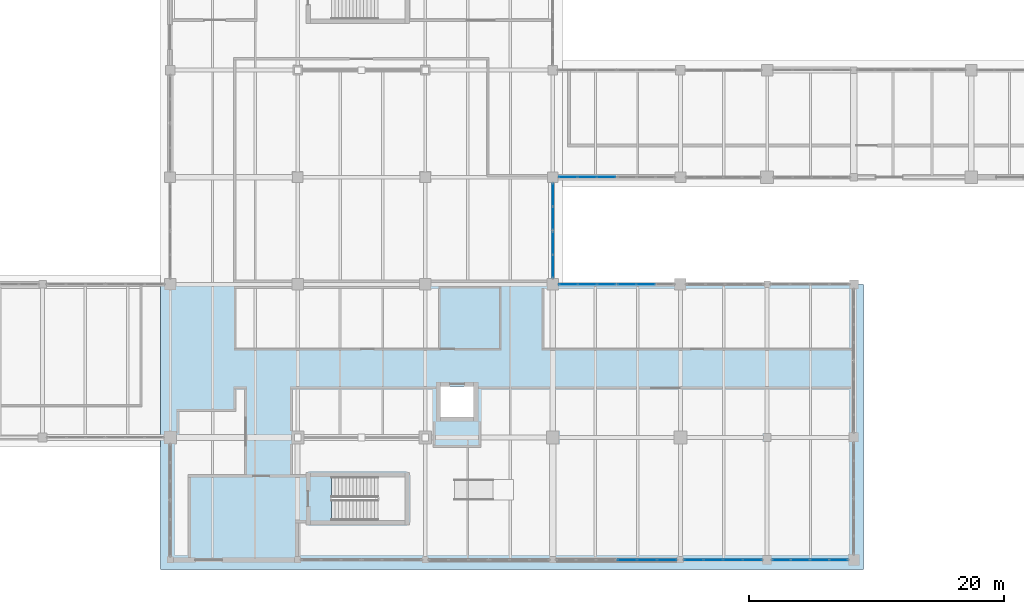
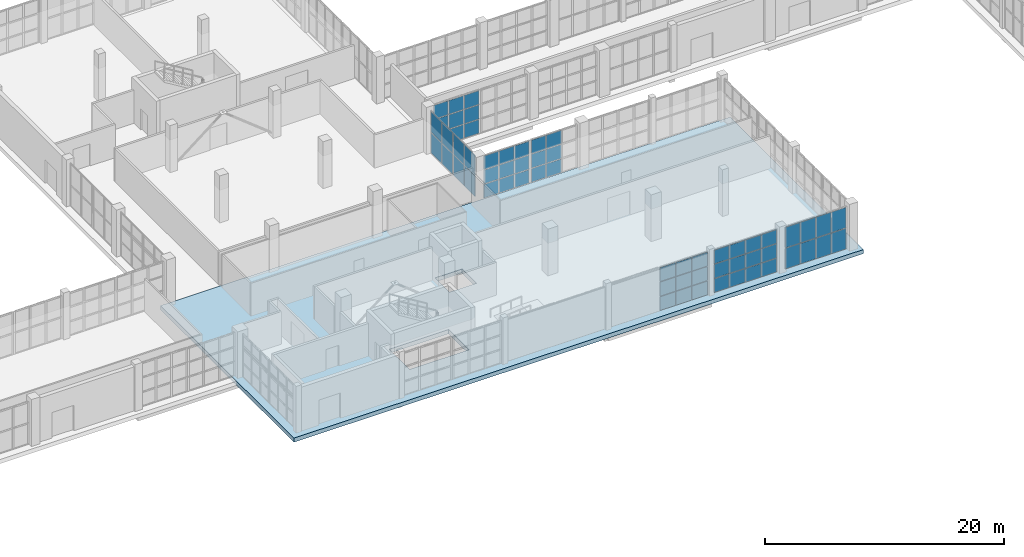
# One storey, part 85 of 121: 61 plates, 1 slab, 8 elements without a shape of their own.
"""IFC4 building model written with IfcOpenShell, lengths in metres."""

from ifc_helpers import new_model, si_unit, direction, frame, origin, origin_2d, place, context, subcontext, project, spatial, polyline, rectangle, outline, extrude, material, layer, layer_set, type_object, element, aggregate, save


model = new_model("IFC4")

# Units and contexts
model_context = context("Model", 3, precision=1e-05, world=origin(), true_north=direction((0.0, 1.0)))
body_context = subcontext(model_context, "Body", "Model", "MODEL_VIEW")
ifc_project = project(units=[si_unit("LENGTHUNIT", "METRE"), si_unit("AREAUNIT", "SQUARE_METRE"), si_unit("VOLUMEUNIT", "CUBIC_METRE"), si_unit("PLANEANGLEUNIT", "RADIAN"), si_unit("MASSUNIT", "GRAM", prefix="KILO")], contexts=[model_context])

# Site, building, storey
site_placement = place(None, origin())
site = spatial("IfcSite", under=ifc_project, at=site_placement, CompositionType="ELEMENT")
building_placement = place(site_placement, origin())
building = spatial("IfcBuilding", under=site, at=building_placement, Name="Zereglee Splitstone Museum", CompositionType="ELEMENT")
storey_placement = place(building_placement, origin())
storey = spatial("IfcBuildingStorey", under=building, at=storey_placement, Name="L00", CompositionType="ELEMENT", Elevation=0.0)

# Curtain wall, plates
ifc_material_1 = material(Name="Triple-glazed low-E argon glass and bronze-anodised aluminium", Category="aluminium")
ifc_layer_1 = layer(ifc_material_1, 0.179931640625)
ifc_layer_set_1 = layer_set([ifc_layer_1], Name="Triple-glazed low-E argon glass and bronze-anodised aluminium")
curtain_wall_type_1 = type_object("IfcCurtainWallType", Name="CW-0470-448", PredefinedType="USERDEFINED", material=ifc_layer_set_1)
curtain_wall_1_placement = place(storey_placement, origin())
curtain_wall_1 = element("IfcCurtainWall", 1, at=curtain_wall_1_placement, inside=storey, type_object=curtain_wall_type_1, Name="Glazed Curtain Wall CW-0470-448 (L00)", ObjectType="GLAZED CURTAIN WALL", PredefinedType="USERDEFINED")
ifc_material_2 = material(Name="Triple low-e argon insulated safety glass", Category="glass")
ifc_layer_2 = layer(ifc_material_2, 0.035888671875)
ifc_layer_set_2 = layer_set([ifc_layer_2], Name="Triple low-e argon insulated safety glass")
plate_type = type_object("IfcPlateType", Name="CWP-01", PredefinedType="CURTAIN_PANEL", material=ifc_layer_set_2)
plate_1_placement = place(storey_placement, frame((211.039794921875, 0.0, 0.06494140625), z_axis=(0.0, 0.0, 1.0), x_axis=(1.0, 0.0, 0.0)))
plate_1 = element("IfcPlate", 2, at=plate_1_placement, type_object=plate_type, Name="CW-0470-448 panel 1.1", PredefinedType="CURTAIN_PANEL", context=body_context, shape_type="SweptSolid", body=[
    extrude(rectangle(XDim=1.4697265625, YDim=0.035888671875, at=origin_2d()), origin(), (0.0, 0.0, 1.0), 1.395751953125),
])
plate_2_placement = place(storey_placement, frame((211.039794921875, 0.0, 1.52587890625), z_axis=(0.0, 0.0, 1.0), x_axis=(1.0, 0.0, 0.0)))
plate_2 = element("IfcPlate", 3, at=plate_2_placement, type_object=plate_type, Name="CW-0470-448 panel 1.2", PredefinedType="CURTAIN_PANEL", context=body_context, shape_type="SweptSolid", body=[
    extrude(rectangle(XDim=1.4697265625, YDim=0.035888671875, at=origin_2d()), origin(), (0.0, 0.0, 1.0), 1.428466796875),
])
plate_3_placement = place(storey_placement, frame((211.039794921875, 0.0, 3.01904296875), z_axis=(0.0, 0.0, 1.0), x_axis=(1.0, 0.0, 0.0)))
plate_3 = element("IfcPlate", 4, at=plate_3_placement, type_object=plate_type, Name="CW-0470-448 panel 1.3", PredefinedType="CURTAIN_PANEL", context=body_context, shape_type="SweptSolid", body=[
    extrude(rectangle(XDim=1.4697265625, YDim=0.035888671875, at=origin_2d()), origin(), (0.0, 0.0, 1.0), 1.395751953125),
])
plate_4_placement = place(storey_placement, frame((212.591064453125, 0.0, 0.06494140625), z_axis=(0.0, 0.0, 1.0), x_axis=(1.0, 0.0, 0.0)))
plate_4 = element("IfcPlate", 5, at=plate_4_placement, type_object=plate_type, Name="CW-0470-448 panel 2.1", PredefinedType="CURTAIN_PANEL", context=body_context, shape_type="SweptSolid", body=[
    extrude(rectangle(XDim=1.50244140625, YDim=0.035888671875, at=origin_2d()), origin(), (0.0, 0.0, 1.0), 1.395751953125),
])
plate_5_placement = place(storey_placement, frame((212.591064453125, 0.0, 1.52587890625), z_axis=(0.0, 0.0, 1.0), x_axis=(1.0, 0.0, 0.0)))
plate_5 = element("IfcPlate", 6, at=plate_5_placement, type_object=plate_type, Name="CW-0470-448 panel 2.2", PredefinedType="CURTAIN_PANEL", context=body_context, shape_type="SweptSolid", body=[
    extrude(rectangle(XDim=1.50244140625, YDim=0.035888671875, at=origin_2d()), origin(), (0.0, 0.0, 1.0), 1.428466796875),
])
plate_6_placement = place(storey_placement, frame((212.591064453125, 0.0, 3.01904296875), z_axis=(0.0, 0.0, 1.0), x_axis=(1.0, 0.0, 0.0)))
plate_6 = element("IfcPlate", 7, at=plate_6_placement, type_object=plate_type, Name="CW-0470-448 panel 2.3", PredefinedType="CURTAIN_PANEL", context=body_context, shape_type="SweptSolid", body=[
    extrude(rectangle(XDim=1.50244140625, YDim=0.035888671875, at=origin_2d()), origin(), (0.0, 0.0, 1.0), 1.395751953125),
])
plate_7_placement = place(storey_placement, frame((214.14208984375, 0.0, 0.06494140625), z_axis=(0.0, 0.0, 1.0), x_axis=(1.0, 0.0, 0.0)))
plate_7 = element("IfcPlate", 8, at=plate_7_placement, type_object=plate_type, Name="CW-0470-448 panel 3.1", PredefinedType="CURTAIN_PANEL", context=body_context, shape_type="SweptSolid", body=[
    extrude(rectangle(XDim=1.4697265625, YDim=0.035888671875, at=origin_2d()), origin(), (0.0, 0.0, 1.0), 1.395751953125),
])
plate_8_placement = place(storey_placement, frame((214.14208984375, 0.0, 1.52587890625), z_axis=(0.0, 0.0, 1.0), x_axis=(1.0, 0.0, 0.0)))
plate_8 = element("IfcPlate", 9, at=plate_8_placement, type_object=plate_type, Name="CW-0470-448 panel 3.2", PredefinedType="CURTAIN_PANEL", context=body_context, shape_type="SweptSolid", body=[
    extrude(rectangle(XDim=1.4697265625, YDim=0.035888671875, at=origin_2d()), origin(), (0.0, 0.0, 1.0), 1.428466796875),
])
plate_9_placement = place(storey_placement, frame((214.14208984375, 0.0, 3.01904296875), z_axis=(0.0, 0.0, 1.0), x_axis=(1.0, 0.0, 0.0)))
plate_9 = element("IfcPlate", 10, at=plate_9_placement, type_object=plate_type, Name="CW-0470-448 panel 3.3", PredefinedType="CURTAIN_PANEL", context=body_context, shape_type="SweptSolid", body=[
    extrude(rectangle(XDim=1.4697265625, YDim=0.035888671875, at=origin_2d()), origin(), (0.0, 0.0, 1.0), 1.395751953125),
])
aggregate(curtain_wall_1, [plate_1, plate_2, plate_3, plate_4, plate_5, plate_6, plate_7, plate_8, plate_9])

ifc_layer_3 = layer(ifc_material_1, 0.179931640625)
ifc_layer_set_3 = layer_set([ifc_layer_3], Name="Triple-glazed low-E argon glass and bronze-anodised aluminium")
curtain_wall_type_2 = type_object("IfcCurtainWallType", Name="CW-0618-444", PredefinedType="USERDEFINED", material=ifc_layer_set_3)
curtain_wall_2_placement = place(storey_placement, origin())
curtain_wall_2 = element("IfcCurtainWall", 11, at=curtain_wall_2_placement, inside=storey, type_object=curtain_wall_type_2, Name="Glazed Curtain Wall CW-0618-444 (L00)", ObjectType="GLAZED CURTAIN WALL", PredefinedType="USERDEFINED")
plate_10_placement = place(storey_placement, frame((216.247314453125, 0.0, 0.06494140625), z_axis=(0.0, 0.0, 1.0), x_axis=(1.0, 0.0, 0.0)))
plate_10 = element("IfcPlate", 12, at=plate_10_placement, type_object=plate_type, Name="CW-0618-444 panel 1.1", PredefinedType="CURTAIN_PANEL", context=body_context, shape_type="SweptSolid", body=[
    extrude(rectangle(XDim=1.448486328125, YDim=0.035888671875, at=origin_2d()), origin(), (0.0, 0.0, 1.0), 1.382568359375),
])
plate_11_placement = place(storey_placement, frame((216.247314453125, 0.0, 1.512451171875), z_axis=(0.0, 0.0, 1.0), x_axis=(1.0, 0.0, 0.0)))
plate_11 = element("IfcPlate", 13, at=plate_11_placement, type_object=plate_type, Name="CW-0618-444 panel 1.2", PredefinedType="CURTAIN_PANEL", context=body_context, shape_type="SweptSolid", body=[
    extrude(rectangle(XDim=1.448486328125, YDim=0.035888671875, at=origin_2d()), origin(), (0.0, 0.0, 1.0), 1.4150390625),
])
plate_12_placement = place(storey_placement, frame((216.247314453125, 0.0, 2.99267578125), z_axis=(0.0, 0.0, 1.0), x_axis=(1.0, 0.0, 0.0)))
plate_12 = element("IfcPlate", 14, at=plate_12_placement, type_object=plate_type, Name="CW-0618-444 panel 1.3", PredefinedType="CURTAIN_PANEL", context=body_context, shape_type="SweptSolid", body=[
    extrude(rectangle(XDim=1.448486328125, YDim=0.035888671875, at=origin_2d()), origin(), (0.0, 0.0, 1.0), 1.382568359375),
])
plate_13_placement = place(storey_placement, frame((217.777099609375, 0.0, 0.06494140625), z_axis=(0.0, 0.0, 1.0), x_axis=(1.0, 0.0, 0.0)))
plate_13 = element("IfcPlate", 15, at=plate_13_placement, type_object=plate_type, Name="CW-0618-444 panel 2.1", PredefinedType="CURTAIN_PANEL", context=body_context, shape_type="SweptSolid", body=[
    extrude(rectangle(XDim=1.48095703125, YDim=0.035888671875, at=origin_2d()), origin(), (0.0, 0.0, 1.0), 1.382568359375),
])
plate_14_placement = place(storey_placement, frame((217.777099609375, 0.0, 1.512451171875), z_axis=(0.0, 0.0, 1.0), x_axis=(1.0, 0.0, 0.0)))
plate_14 = element("IfcPlate", 16, at=plate_14_placement, type_object=plate_type, Name="CW-0618-444 panel 2.2", PredefinedType="CURTAIN_PANEL", context=body_context, shape_type="SweptSolid", body=[
    extrude(rectangle(XDim=1.48095703125, YDim=0.035888671875, at=origin_2d()), origin(), (0.0, 0.0, 1.0), 1.4150390625),
])
plate_15_placement = place(storey_placement, frame((217.777099609375, 0.0, 2.99267578125), z_axis=(0.0, 0.0, 1.0), x_axis=(1.0, 0.0, 0.0)))
plate_15 = element("IfcPlate", 17, at=plate_15_placement, type_object=plate_type, Name="CW-0618-444 panel 2.3", PredefinedType="CURTAIN_PANEL", context=body_context, shape_type="SweptSolid", body=[
    extrude(rectangle(XDim=1.48095703125, YDim=0.035888671875, at=origin_2d()), origin(), (0.0, 0.0, 1.0), 1.382568359375),
])
plate_16_placement = place(storey_placement, frame((219.322998046875, 0.0, 0.06494140625), z_axis=(0.0, 0.0, 1.0), x_axis=(1.0, 0.0, 0.0)))
plate_16 = element("IfcPlate", 18, at=plate_16_placement, type_object=plate_type, Name="CW-0618-444 panel 3.1", PredefinedType="CURTAIN_PANEL", context=body_context, shape_type="SweptSolid", body=[
    extrude(rectangle(XDim=1.48095703125, YDim=0.035888671875, at=origin_2d()), origin(), (0.0, 0.0, 1.0), 1.382568359375),
])
plate_17_placement = place(storey_placement, frame((219.322998046875, 0.0, 1.512451171875), z_axis=(0.0, 0.0, 1.0), x_axis=(1.0, 0.0, 0.0)))
plate_17 = element("IfcPlate", 19, at=plate_17_placement, type_object=plate_type, Name="CW-0618-444 panel 3.2", PredefinedType="CURTAIN_PANEL", context=body_context, shape_type="SweptSolid", body=[
    extrude(rectangle(XDim=1.48095703125, YDim=0.035888671875, at=origin_2d()), origin(), (0.0, 0.0, 1.0), 1.4150390625),
])
plate_18_placement = place(storey_placement, frame((219.322998046875, 0.0, 2.99267578125), z_axis=(0.0, 0.0, 1.0), x_axis=(1.0, 0.0, 0.0)))
plate_18 = element("IfcPlate", 20, at=plate_18_placement, type_object=plate_type, Name="CW-0618-444 panel 3.3", PredefinedType="CURTAIN_PANEL", context=body_context, shape_type="SweptSolid", body=[
    extrude(rectangle(XDim=1.48095703125, YDim=0.035888671875, at=origin_2d()), origin(), (0.0, 0.0, 1.0), 1.382568359375),
])
plate_19_placement = place(storey_placement, frame((220.852783203125, 0.0, 0.06494140625), z_axis=(0.0, 0.0, 1.0), x_axis=(1.0, 0.0, 0.0)))
plate_19 = element("IfcPlate", 21, at=plate_19_placement, type_object=plate_type, Name="CW-0618-444 panel 4.1", PredefinedType="CURTAIN_PANEL", context=body_context, shape_type="SweptSolid", body=[
    extrude(rectangle(XDim=1.448486328125, YDim=0.035888671875, at=origin_2d()), origin(), (0.0, 0.0, 1.0), 1.382568359375),
])
plate_20_placement = place(storey_placement, frame((220.852783203125, 0.0, 1.512451171875), z_axis=(0.0, 0.0, 1.0), x_axis=(1.0, 0.0, 0.0)))
plate_20 = element("IfcPlate", 22, at=plate_20_placement, type_object=plate_type, Name="CW-0618-444 panel 4.2", PredefinedType="CURTAIN_PANEL", context=body_context, shape_type="SweptSolid", body=[
    extrude(rectangle(XDim=1.448486328125, YDim=0.035888671875, at=origin_2d()), origin(), (0.0, 0.0, 1.0), 1.4150390625),
])
plate_21_placement = place(storey_placement, frame((220.852783203125, 0.0, 2.99267578125), z_axis=(0.0, 0.0, 1.0), x_axis=(1.0, 0.0, 0.0)))
plate_21 = element("IfcPlate", 23, at=plate_21_placement, type_object=plate_type, Name="CW-0618-444 panel 4.3", PredefinedType="CURTAIN_PANEL", context=body_context, shape_type="SweptSolid", body=[
    extrude(rectangle(XDim=1.448486328125, YDim=0.035888671875, at=origin_2d()), origin(), (0.0, 0.0, 1.0), 1.382568359375),
])
aggregate(curtain_wall_2, [plate_10, plate_11, plate_12, plate_13, plate_14, plate_15, plate_16, plate_17, plate_18, plate_19, plate_20, plate_21])

ifc_layer_4 = layer(ifc_material_1, 0.179931640625)
ifc_layer_set_4 = layer_set([ifc_layer_4], Name="Triple-glazed low-E argon glass and bronze-anodised aluminium")
curtain_wall_type_3 = type_object("IfcCurtainWallType", Name="CW-0601-438", PredefinedType="USERDEFINED", material=ifc_layer_set_4)
curtain_wall_3_placement = place(storey_placement, origin())
curtain_wall_3 = element("IfcCurtainWall", 24, at=curtain_wall_3_placement, inside=storey, type_object=curtain_wall_type_3, Name="Glazed Curtain Wall CW-0601-438 (L00)", ObjectType="GLAZED CURTAIN WALL", PredefinedType="USERDEFINED")
plate_22_placement = place(storey_placement, frame((223.12548828125, 0.0, 0.06494140625), z_axis=(0.0, 0.0, 1.0), x_axis=(1.0, 0.0, 0.0)))
plate_22 = element("IfcPlate", 25, at=plate_22_placement, type_object=plate_type, Name="CW-0601-438 panel 1.1", PredefinedType="CURTAIN_PANEL", context=body_context, shape_type="SweptSolid", body=[
    extrude(rectangle(XDim=1.40478515625, YDim=0.035888671875, at=origin_2d()), origin(), (0.0, 0.0, 1.0), 2.092529296875),
])
plate_23_placement = place(storey_placement, frame((223.12548828125, 0.0, 2.22265625), z_axis=(0.0, 0.0, 1.0), x_axis=(1.0, 0.0, 0.0)))
plate_23 = element("IfcPlate", 26, at=plate_23_placement, type_object=plate_type, Name="CW-0601-438 panel 1.2", PredefinedType="CURTAIN_PANEL", context=body_context, shape_type="SweptSolid", body=[
    extrude(rectangle(XDim=1.40478515625, YDim=0.035888671875, at=origin_2d()), origin(), (0.0, 0.0, 1.0), 2.092529296875),
])
plate_24_placement = place(storey_placement, frame((224.611328125, 0.0, 0.06494140625), z_axis=(0.0, 0.0, 1.0), x_axis=(1.0, 0.0, 0.0)))
plate_24 = element("IfcPlate", 27, at=plate_24_placement, type_object=plate_type, Name="CW-0601-438 panel 2.1", PredefinedType="CURTAIN_PANEL", context=body_context, shape_type="SweptSolid", body=[
    extrude(rectangle(XDim=1.437255859375, YDim=0.035888671875, at=origin_2d()), origin(), (0.0, 0.0, 1.0), 2.092529296875),
])
plate_25_placement = place(storey_placement, frame((224.611328125, 0.0, 2.22265625), z_axis=(0.0, 0.0, 1.0), x_axis=(1.0, 0.0, 0.0)))
plate_25 = element("IfcPlate", 28, at=plate_25_placement, type_object=plate_type, Name="CW-0601-438 panel 2.2", PredefinedType="CURTAIN_PANEL", context=body_context, shape_type="SweptSolid", body=[
    extrude(rectangle(XDim=1.437255859375, YDim=0.035888671875, at=origin_2d()), origin(), (0.0, 0.0, 1.0), 2.092529296875),
])
plate_26_placement = place(storey_placement, frame((226.113525390625, 0.0, 0.06494140625), z_axis=(0.0, 0.0, 1.0), x_axis=(1.0, 0.0, 0.0)))
plate_26 = element("IfcPlate", 29, at=plate_26_placement, type_object=plate_type, Name="CW-0601-438 panel 3.1", PredefinedType="CURTAIN_PANEL", context=body_context, shape_type="SweptSolid", body=[
    extrude(rectangle(XDim=1.437255859375, YDim=0.035888671875, at=origin_2d()), origin(), (0.0, 0.0, 1.0), 2.092529296875),
])
plate_27_placement = place(storey_placement, frame((226.113525390625, 0.0, 2.22265625), z_axis=(0.0, 0.0, 1.0), x_axis=(1.0, 0.0, 0.0)))
plate_27 = element("IfcPlate", 30, at=plate_27_placement, type_object=plate_type, Name="CW-0601-438 panel 3.2", PredefinedType="CURTAIN_PANEL", context=body_context, shape_type="SweptSolid", body=[
    extrude(rectangle(XDim=1.437255859375, YDim=0.035888671875, at=origin_2d()), origin(), (0.0, 0.0, 1.0), 2.092529296875),
])
plate_28_placement = place(storey_placement, frame((227.599609375, 0.0, 0.06494140625), z_axis=(0.0, 0.0, 1.0), x_axis=(1.0, 0.0, 0.0)))
plate_28 = element("IfcPlate", 31, at=plate_28_placement, type_object=plate_type, Name="CW-0601-438 panel 4.1", PredefinedType="CURTAIN_PANEL", context=body_context, shape_type="SweptSolid", body=[
    extrude(rectangle(XDim=1.40478515625, YDim=0.035888671875, at=origin_2d()), origin(), (0.0, 0.0, 1.0), 2.092529296875),
])
plate_29_placement = place(storey_placement, frame((227.599609375, 0.0, 2.22265625), z_axis=(0.0, 0.0, 1.0), x_axis=(1.0, 0.0, 0.0)))
plate_29 = element("IfcPlate", 32, at=plate_29_placement, type_object=plate_type, Name="CW-0601-438 panel 4.2", PredefinedType="CURTAIN_PANEL", context=body_context, shape_type="SweptSolid", body=[
    extrude(rectangle(XDim=1.40478515625, YDim=0.035888671875, at=origin_2d()), origin(), (0.0, 0.0, 1.0), 2.092529296875),
])
aggregate(curtain_wall_3, [plate_22, plate_23, plate_24, plate_25, plate_26, plate_27, plate_28, plate_29])

ifc_layer_5 = layer(ifc_material_1, 0.179931640625)
ifc_layer_set_5 = layer_set([ifc_layer_5], Name="Triple-glazed low-E argon glass and bronze-anodised aluminium")
curtain_wall_type_4 = type_object("IfcCurtainWallType", Name="CW-0450-444", PredefinedType="USERDEFINED", material=ifc_layer_set_5)
curtain_wall_4_placement = place(storey_placement, origin())
curtain_wall_4 = element("IfcCurtainWall", 33, at=curtain_wall_4_placement, inside=storey, type_object=curtain_wall_type_4, Name="Glazed Curtain Wall CW-0450-444 (L00)", ObjectType="GLAZED CURTAIN WALL", PredefinedType="USERDEFINED")
plate_30_placement = place(storey_placement, frame((212.490966796875, 21.60009765625, 0.06494140625), z_axis=(0.0, 0.0, 1.0), x_axis=(-1.0, 0.0, 0.0)))
plate_30 = element("IfcPlate", 34, at=plate_30_placement, type_object=plate_type, Name="CW-0450-444 panel 2.1", PredefinedType="CURTAIN_PANEL", context=body_context, shape_type="SweptSolid", body=[
    extrude(rectangle(XDim=1.435546875, YDim=0.035888671875, at=origin_2d()), origin(), (0.0, 0.0, 1.0), 1.382568359375),
])
plate_31_placement = place(storey_placement, frame((212.490966796875, 21.60009765625, 1.512451171875), z_axis=(0.0, 0.0, 1.0), x_axis=(-1.0, 0.0, 0.0)))
plate_31 = element("IfcPlate", 35, at=plate_31_placement, type_object=plate_type, Name="CW-0450-444 panel 2.2", PredefinedType="CURTAIN_PANEL", context=body_context, shape_type="SweptSolid", body=[
    extrude(rectangle(XDim=1.435546875, YDim=0.035888671875, at=origin_2d()), origin(), (0.0, 0.0, 1.0), 1.4150390625),
])
plate_32_placement = place(storey_placement, frame((212.490966796875, 21.60009765625, 2.99267578125), z_axis=(0.0, 0.0, 1.0), x_axis=(-1.0, 0.0, 0.0)))
plate_32 = element("IfcPlate", 36, at=plate_32_placement, type_object=plate_type, Name="CW-0450-444 panel 2.3", PredefinedType="CURTAIN_PANEL", context=body_context, shape_type="SweptSolid", body=[
    extrude(rectangle(XDim=1.435546875, YDim=0.035888671875, at=origin_2d()), origin(), (0.0, 0.0, 1.0), 1.382568359375),
])
plate_33_placement = place(storey_placement, frame((211.006591796875, 21.60009765625, 0.06494140625), z_axis=(0.0, 0.0, 1.0), x_axis=(-1.0, 0.0, 0.0)))
plate_33 = element("IfcPlate", 37, at=plate_33_placement, type_object=plate_type, Name="CW-0450-444 panel 3.1", PredefinedType="CURTAIN_PANEL", context=body_context, shape_type="SweptSolid", body=[
    extrude(rectangle(XDim=1.403076171875, YDim=0.035888671875, at=origin_2d()), origin(), (0.0, 0.0, 1.0), 1.382568359375),
])
plate_34_placement = place(storey_placement, frame((211.006591796875, 21.60009765625, 1.512451171875), z_axis=(0.0, 0.0, 1.0), x_axis=(-1.0, 0.0, 0.0)))
plate_34 = element("IfcPlate", 38, at=plate_34_placement, type_object=plate_type, Name="CW-0450-444 panel 3.2", PredefinedType="CURTAIN_PANEL", context=body_context, shape_type="SweptSolid", body=[
    extrude(rectangle(XDim=1.403076171875, YDim=0.035888671875, at=origin_2d()), origin(), (0.0, 0.0, 1.0), 1.4150390625),
])
plate_35_placement = place(storey_placement, frame((211.006591796875, 21.60009765625, 2.99267578125), z_axis=(0.0, 0.0, 1.0), x_axis=(-1.0, 0.0, 0.0)))
plate_35 = element("IfcPlate", 39, at=plate_35_placement, type_object=plate_type, Name="CW-0450-444 panel 3.3", PredefinedType="CURTAIN_PANEL", context=body_context, shape_type="SweptSolid", body=[
    extrude(rectangle(XDim=1.403076171875, YDim=0.035888671875, at=origin_2d()), origin(), (0.0, 0.0, 1.0), 1.382568359375),
])
aggregate(curtain_wall_4, [plate_30, plate_31, plate_32, plate_33, plate_34, plate_35])

ifc_layer_6 = layer(ifc_material_1, 0.179931640625)
ifc_layer_set_6 = layer_set([ifc_layer_6], Name="Triple-glazed low-E argon glass and bronze-anodised aluminium")
curtain_wall_type_5 = type_object("IfcCurtainWallType", Name="CW-0450-442", PredefinedType="USERDEFINED", material=ifc_layer_set_6)
curtain_wall_5_placement = place(storey_placement, origin())
curtain_wall_5 = element("IfcCurtainWall", 40, at=curtain_wall_5_placement, inside=storey, type_object=curtain_wall_type_5, Name="Glazed Curtain Wall CW-0450-442 (L00)", ObjectType="GLAZED CURTAIN WALL", PredefinedType="USERDEFINED")
plate_36_placement = place(storey_placement, frame((209.393310546875, 21.60009765625, 0.06494140625), z_axis=(0.0, 0.0, 1.0), x_axis=(-1.0, 0.0, 0.0)))
plate_36 = element("IfcPlate", 41, at=plate_36_placement, type_object=plate_type, Name="CW-0450-442 panel 1.1", PredefinedType="CURTAIN_PANEL", context=body_context, shape_type="SweptSolid", body=[
    extrude(rectangle(XDim=1.403076171875, YDim=0.035888671875, at=origin_2d()), origin(), (0.0, 0.0, 1.0), 1.375732421875),
])
plate_37_placement = place(storey_placement, frame((209.393310546875, 21.60009765625, 1.505859375), z_axis=(0.0, 0.0, 1.0), x_axis=(-1.0, 0.0, 0.0)))
plate_37 = element("IfcPlate", 42, at=plate_37_placement, type_object=plate_type, Name="CW-0450-442 panel 1.2", PredefinedType="CURTAIN_PANEL", context=body_context, shape_type="SweptSolid", body=[
    extrude(rectangle(XDim=1.403076171875, YDim=0.035888671875, at=origin_2d()), origin(), (0.0, 0.0, 1.0), 1.408447265625),
])
plate_38_placement = place(storey_placement, frame((209.393310546875, 21.60009765625, 2.97900390625), z_axis=(0.0, 0.0, 1.0), x_axis=(-1.0, 0.0, 0.0)))
plate_38 = element("IfcPlate", 43, at=plate_38_placement, type_object=plate_type, Name="CW-0450-442 panel 1.3", PredefinedType="CURTAIN_PANEL", context=body_context, shape_type="SweptSolid", body=[
    extrude(rectangle(XDim=1.403076171875, YDim=0.035888671875, at=origin_2d()), origin(), (0.0, 0.0, 1.0), 1.375732421875),
])
plate_39_placement = place(storey_placement, frame((207.908935546875, 21.60009765625, 0.06494140625), z_axis=(0.0, 0.0, 1.0), x_axis=(-1.0, 0.0, 0.0)))
plate_39 = element("IfcPlate", 44, at=plate_39_placement, type_object=plate_type, Name="CW-0450-442 panel 2.1", PredefinedType="CURTAIN_PANEL", context=body_context, shape_type="SweptSolid", body=[
    extrude(rectangle(XDim=1.435546875, YDim=0.035888671875, at=origin_2d()), origin(), (0.0, 0.0, 1.0), 1.375732421875),
])
plate_40_placement = place(storey_placement, frame((207.908935546875, 21.60009765625, 1.505859375), z_axis=(0.0, 0.0, 1.0), x_axis=(-1.0, 0.0, 0.0)))
plate_40 = element("IfcPlate", 45, at=plate_40_placement, type_object=plate_type, Name="CW-0450-442 panel 2.2", PredefinedType="CURTAIN_PANEL", context=body_context, shape_type="SweptSolid", body=[
    extrude(rectangle(XDim=1.435546875, YDim=0.035888671875, at=origin_2d()), origin(), (0.0, 0.0, 1.0), 1.408447265625),
])
plate_41_placement = place(storey_placement, frame((207.908935546875, 21.60009765625, 2.97900390625), z_axis=(0.0, 0.0, 1.0), x_axis=(-1.0, 0.0, 0.0)))
plate_41 = element("IfcPlate", 46, at=plate_41_placement, type_object=plate_type, Name="CW-0450-442 panel 2.3", PredefinedType="CURTAIN_PANEL", context=body_context, shape_type="SweptSolid", body=[
    extrude(rectangle(XDim=1.435546875, YDim=0.035888671875, at=origin_2d()), origin(), (0.0, 0.0, 1.0), 1.375732421875),
])
plate_42_placement = place(storey_placement, frame((206.424560546875, 21.60009765625, 0.06494140625), z_axis=(0.0, 0.0, 1.0), x_axis=(-1.0, 0.0, 0.0)))
plate_42 = element("IfcPlate", 47, at=plate_42_placement, type_object=plate_type, Name="CW-0450-442 panel 3.1", PredefinedType="CURTAIN_PANEL", context=body_context, shape_type="SweptSolid", body=[
    extrude(rectangle(XDim=1.403076171875, YDim=0.035888671875, at=origin_2d()), origin(), (0.0, 0.0, 1.0), 1.375732421875),
])
plate_43_placement = place(storey_placement, frame((206.424560546875, 21.60009765625, 1.505859375), z_axis=(0.0, 0.0, 1.0), x_axis=(-1.0, 0.0, 0.0)))
plate_43 = element("IfcPlate", 48, at=plate_43_placement, type_object=plate_type, Name="CW-0450-442 panel 3.2", PredefinedType="CURTAIN_PANEL", context=body_context, shape_type="SweptSolid", body=[
    extrude(rectangle(XDim=1.403076171875, YDim=0.035888671875, at=origin_2d()), origin(), (0.0, 0.0, 1.0), 1.408447265625),
])
plate_44_placement = place(storey_placement, frame((206.424560546875, 21.60009765625, 2.97900390625), z_axis=(0.0, 0.0, 1.0), x_axis=(-1.0, 0.0, 0.0)))
plate_44 = element("IfcPlate", 49, at=plate_44_placement, type_object=plate_type, Name="CW-0450-442 panel 3.3", PredefinedType="CURTAIN_PANEL", context=body_context, shape_type="SweptSolid", body=[
    extrude(rectangle(XDim=1.403076171875, YDim=0.035888671875, at=origin_2d()), origin(), (0.0, 0.0, 1.0), 1.375732421875),
])
aggregate(curtain_wall_5, [plate_36, plate_37, plate_38, plate_39, plate_40, plate_41, plate_42, plate_43, plate_44])

ifc_layer_7 = layer(ifc_material_1, 0.179931640625)
ifc_layer_set_7 = layer_set([ifc_layer_7], Name="Triple-glazed low-E argon glass and bronze-anodised aluminium")
curtain_wall_type_6 = type_object("IfcCurtainWallType", Name="CW-0371-438", PredefinedType="USERDEFINED", material=ifc_layer_set_7)
curtain_wall_6_placement = place(storey_placement, origin())
curtain_wall_6 = element("IfcCurtainWall", 50, at=curtain_wall_6_placement, inside=storey, type_object=curtain_wall_type_6, Name="Glazed Curtain Wall CW-0371-438 (L00)", ObjectType="GLAZED CURTAIN WALL", PredefinedType="USERDEFINED")
plate_45_placement = place(storey_placement, frame((205.199951171875, 23.0029296875, 0.06494140625), z_axis=(0.0, 0.0, 1.0), x_axis=(0.0, 1.0, 0.0)))
plate_45 = element("IfcPlate", 51, at=plate_45_placement, type_object=plate_type, Name="CW-0371-438 panel 1.1", PredefinedType="CURTAIN_PANEL", context=body_context, shape_type="SweptSolid", body=[
    extrude(rectangle(XDim=1.759765625, YDim=0.035888671875, at=origin_2d()), origin(), (0.0, 0.0, 1.0), 2.092529296875),
])
plate_46_placement = place(storey_placement, frame((205.199951171875, 23.0029296875, 2.22265625), z_axis=(0.0, 0.0, 1.0), x_axis=(0.0, 1.0, 0.0)))
plate_46 = element("IfcPlate", 52, at=plate_46_placement, type_object=plate_type, Name="CW-0371-438 panel 1.2", PredefinedType="CURTAIN_PANEL", context=body_context, shape_type="SweptSolid", body=[
    extrude(rectangle(XDim=1.759765625, YDim=0.035888671875, at=origin_2d()), origin(), (0.0, 0.0, 1.0), 2.092529296875),
])
plate_47_placement = place(storey_placement, frame((205.199951171875, 24.82763671875, 0.06494140625), z_axis=(0.0, 0.0, 1.0), x_axis=(0.0, 1.0, 0.0)))
plate_47 = element("IfcPlate", 53, at=plate_47_placement, type_object=plate_type, Name="CW-0371-438 panel 2.1", PredefinedType="CURTAIN_PANEL", context=body_context, shape_type="SweptSolid", body=[
    extrude(rectangle(XDim=1.759765625, YDim=0.035888671875, at=origin_2d()), origin(), (0.0, 0.0, 1.0), 2.092529296875),
])
plate_48_placement = place(storey_placement, frame((205.199951171875, 24.82763671875, 2.22265625), z_axis=(0.0, 0.0, 1.0), x_axis=(0.0, 1.0, 0.0)))
plate_48 = element("IfcPlate", 54, at=plate_48_placement, type_object=plate_type, Name="CW-0371-438 panel 2.2", PredefinedType="CURTAIN_PANEL", context=body_context, shape_type="SweptSolid", body=[
    extrude(rectangle(XDim=1.759765625, YDim=0.035888671875, at=origin_2d()), origin(), (0.0, 0.0, 1.0), 2.092529296875),
])
aggregate(curtain_wall_6, [plate_45, plate_46, plate_47, plate_48])

ifc_layer_8 = layer(ifc_material_1, 0.179931640625)
ifc_layer_set_8 = layer_set([ifc_layer_8], Name="Triple-glazed low-E argon glass and bronze-anodised aluminium")
curtain_wall_type_7 = type_object("IfcCurtainWallType", Name="CW-0371-436", PredefinedType="USERDEFINED", material=ifc_layer_set_8)
curtain_wall_7_placement = place(storey_placement, origin())
curtain_wall_7 = element("IfcCurtainWall", 55, at=curtain_wall_7_placement, inside=storey, type_object=curtain_wall_type_7, Name="Glazed Curtain Wall CW-0371-436 (L00)", ObjectType="GLAZED CURTAIN WALL", PredefinedType="USERDEFINED")
plate_49_placement = place(storey_placement, frame((205.199951171875, 26.79736328125, 0.06494140625), z_axis=(0.0, 0.0, 1.0), x_axis=(0.0, 1.0, 0.0)))
plate_49 = element("IfcPlate", 56, at=plate_49_placement, type_object=plate_type, Name="CW-0371-436 panel 1.1", PredefinedType="CURTAIN_PANEL", context=body_context, shape_type="SweptSolid", body=[
    extrude(rectangle(XDim=1.759765625, YDim=0.035888671875, at=origin_2d()), origin(), (0.0, 0.0, 1.0), 2.08251953125),
])
plate_50_placement = place(storey_placement, frame((205.199951171875, 26.79736328125, 2.21240234375), z_axis=(0.0, 0.0, 1.0), x_axis=(0.0, 1.0, 0.0)))
plate_50 = element("IfcPlate", 57, at=plate_50_placement, type_object=plate_type, Name="CW-0371-436 panel 1.2", PredefinedType="CURTAIN_PANEL", context=body_context, shape_type="SweptSolid", body=[
    extrude(rectangle(XDim=1.759765625, YDim=0.035888671875, at=origin_2d()), origin(), (0.0, 0.0, 1.0), 2.08251953125),
])
plate_51_placement = place(storey_placement, frame((205.199951171875, 28.6220703125, 0.06494140625), z_axis=(0.0, 0.0, 1.0), x_axis=(0.0, 1.0, 0.0)))
plate_51 = element("IfcPlate", 58, at=plate_51_placement, type_object=plate_type, Name="CW-0371-436 panel 2.1", PredefinedType="CURTAIN_PANEL", context=body_context, shape_type="SweptSolid", body=[
    extrude(rectangle(XDim=1.759765625, YDim=0.035888671875, at=origin_2d()), origin(), (0.0, 0.0, 1.0), 2.08251953125),
])
plate_52_placement = place(storey_placement, frame((205.199951171875, 28.6220703125, 2.21240234375), z_axis=(0.0, 0.0, 1.0), x_axis=(0.0, 1.0, 0.0)))
plate_52 = element("IfcPlate", 59, at=plate_52_placement, type_object=plate_type, Name="CW-0371-436 panel 2.2", PredefinedType="CURTAIN_PANEL", context=body_context, shape_type="SweptSolid", body=[
    extrude(rectangle(XDim=1.759765625, YDim=0.035888671875, at=origin_2d()), origin(), (0.0, 0.0, 1.0), 2.08251953125),
])
aggregate(curtain_wall_7, [plate_49, plate_50, plate_51, plate_52])

ifc_layer_9 = layer(ifc_material_1, 0.179931640625)
ifc_layer_set_9 = layer_set([ifc_layer_9], Name="Triple-glazed low-E argon glass and bronze-anodised aluminium")
curtain_wall_type_8 = type_object("IfcCurtainWallType", Name="CW-0453-450", PredefinedType="USERDEFINED", material=ifc_layer_set_9)
curtain_wall_8_placement = place(storey_placement, origin())
curtain_wall_8 = element("IfcCurtainWall", 60, at=curtain_wall_8_placement, inside=storey, type_object=curtain_wall_type_8, Name="Glazed Curtain Wall CW-0453-450 (L00)", ObjectType="GLAZED CURTAIN WALL", PredefinedType="USERDEFINED")
plate_53_placement = place(storey_placement, frame((206.40380859375, 30.0, 0.06494140625), z_axis=(0.0, 0.0, 1.0), x_axis=(1.0, 0.0, 0.0)))
plate_53 = element("IfcPlate", 61, at=plate_53_placement, type_object=plate_type, Name="CW-0453-450 panel 1.1", PredefinedType="CURTAIN_PANEL", context=body_context, shape_type="SweptSolid", body=[
    extrude(rectangle(XDim=1.41162109375, YDim=0.035888671875, at=origin_2d()), origin(), (0.0, 0.0, 1.0), 1.402587890625),
])
plate_54_placement = place(storey_placement, frame((206.40380859375, 30.0, 1.532470703125), z_axis=(0.0, 0.0, 1.0), x_axis=(1.0, 0.0, 0.0)))
plate_54 = element("IfcPlate", 62, at=plate_54_placement, type_object=plate_type, Name="CW-0453-450 panel 1.2", PredefinedType="CURTAIN_PANEL", context=body_context, shape_type="SweptSolid", body=[
    extrude(rectangle(XDim=1.41162109375, YDim=0.035888671875, at=origin_2d()), origin(), (0.0, 0.0, 1.0), 1.43505859375),
])
plate_55_placement = place(storey_placement, frame((206.40380859375, 30.0, 3.0322265625), z_axis=(0.0, 0.0, 1.0), x_axis=(1.0, 0.0, 0.0)))
plate_55 = element("IfcPlate", 63, at=plate_55_placement, type_object=plate_type, Name="CW-0453-450 panel 1.3", PredefinedType="CURTAIN_PANEL", context=body_context, shape_type="SweptSolid", body=[
    extrude(rectangle(XDim=1.41162109375, YDim=0.035888671875, at=origin_2d()), origin(), (0.0, 0.0, 1.0), 1.402587890625),
])
plate_56_placement = place(storey_placement, frame((207.896484375, 30.0, 0.06494140625), z_axis=(0.0, 0.0, 1.0), x_axis=(1.0, 0.0, 0.0)))
plate_56 = element("IfcPlate", 64, at=plate_56_placement, type_object=plate_type, Name="CW-0453-450 panel 2.1", PredefinedType="CURTAIN_PANEL", context=body_context, shape_type="SweptSolid", body=[
    extrude(rectangle(XDim=1.444091796875, YDim=0.035888671875, at=origin_2d()), origin(), (0.0, 0.0, 1.0), 1.402587890625),
])
plate_57_placement = place(storey_placement, frame((207.896484375, 30.0, 1.532470703125), z_axis=(0.0, 0.0, 1.0), x_axis=(1.0, 0.0, 0.0)))
plate_57 = element("IfcPlate", 65, at=plate_57_placement, type_object=plate_type, Name="CW-0453-450 panel 2.2", PredefinedType="CURTAIN_PANEL", context=body_context, shape_type="SweptSolid", body=[
    extrude(rectangle(XDim=1.444091796875, YDim=0.035888671875, at=origin_2d()), origin(), (0.0, 0.0, 1.0), 1.43505859375),
])
plate_58_placement = place(storey_placement, frame((207.896484375, 30.0, 3.0322265625), z_axis=(0.0, 0.0, 1.0), x_axis=(1.0, 0.0, 0.0)))
plate_58 = element("IfcPlate", 66, at=plate_58_placement, type_object=plate_type, Name="CW-0453-450 panel 2.3", PredefinedType="CURTAIN_PANEL", context=body_context, shape_type="SweptSolid", body=[
    extrude(rectangle(XDim=1.444091796875, YDim=0.035888671875, at=origin_2d()), origin(), (0.0, 0.0, 1.0), 1.402587890625),
])
plate_59_placement = place(storey_placement, frame((209.38916015625, 30.0, 0.06494140625), z_axis=(0.0, 0.0, 1.0), x_axis=(1.0, 0.0, 0.0)))
plate_59 = element("IfcPlate", 67, at=plate_59_placement, type_object=plate_type, Name="CW-0453-450 panel 3.1", PredefinedType="CURTAIN_PANEL", context=body_context, shape_type="SweptSolid", body=[
    extrude(rectangle(XDim=1.41162109375, YDim=0.035888671875, at=origin_2d()), origin(), (0.0, 0.0, 1.0), 1.402587890625),
])
plate_60_placement = place(storey_placement, frame((209.38916015625, 30.0, 1.532470703125), z_axis=(0.0, 0.0, 1.0), x_axis=(1.0, 0.0, 0.0)))
plate_60 = element("IfcPlate", 68, at=plate_60_placement, type_object=plate_type, Name="CW-0453-450 panel 3.2", PredefinedType="CURTAIN_PANEL", context=body_context, shape_type="SweptSolid", body=[
    extrude(rectangle(XDim=1.41162109375, YDim=0.035888671875, at=origin_2d()), origin(), (0.0, 0.0, 1.0), 1.43505859375),
])
plate_61_placement = place(storey_placement, frame((209.38916015625, 30.0, 3.0322265625), z_axis=(0.0, 0.0, 1.0), x_axis=(1.0, 0.0, 0.0)))
plate_61 = element("IfcPlate", 69, at=plate_61_placement, type_object=plate_type, Name="CW-0453-450 panel 3.3", PredefinedType="CURTAIN_PANEL", context=body_context, shape_type="SweptSolid", body=[
    extrude(rectangle(XDim=1.41162109375, YDim=0.035888671875, at=origin_2d()), origin(), (0.0, 0.0, 1.0), 1.402587890625),
])
aggregate(curtain_wall_8, [plate_53, plate_54, plate_55, plate_56, plate_57, plate_58, plate_59, plate_60, plate_61])

# Slab
ifc_material_3 = material(Name="Concrete C35/45", Category="concrete")
ifc_layer_10 = layer(ifc_material_3, 0.419921875)
ifc_layer_set_10 = layer_set([ifc_layer_10], Name="Concrete C35/45")
slab_type = type_object("IfcSlabType", Name="FS-01", PredefinedType="FLOOR", material=ifc_layer_set_10)
slab_placement = place(storey_placement, frame((0.0, 0.0, -0.419921875)))
element("IfcSlab", 70, at=slab_placement, inside=storey, type_object=slab_type, Name="Gallery Floor Slab L00-V3", PredefinedType="FLOOR", context=body_context, shape_type="SweptSolid", body=[
    extrude(outline(polyline([(174.449951171875, -0.75), (229.550048828125, -0.75), (229.550048828125, 21.60009765625), (174.449951171875, 21.60009765625), (174.449951171875, -0.75)]), holes=[polyline([(187.85400390625, 3.10009765625), (193.60009765625, 3.10009765625), (193.60009765625, 6.5), (187.85400390625, 6.5), (187.85400390625, 3.10009765625)]), polyline([(196.39990234375, 11.199951171875), (199.0, 11.199951171875), (199.0, 13.60009765625), (196.39990234375, 13.60009765625), (196.39990234375, 11.199951171875)])]), origin(), (0.0, 0.0, 1.0), 0.419921875),
])

save(model, "model.ifc")
